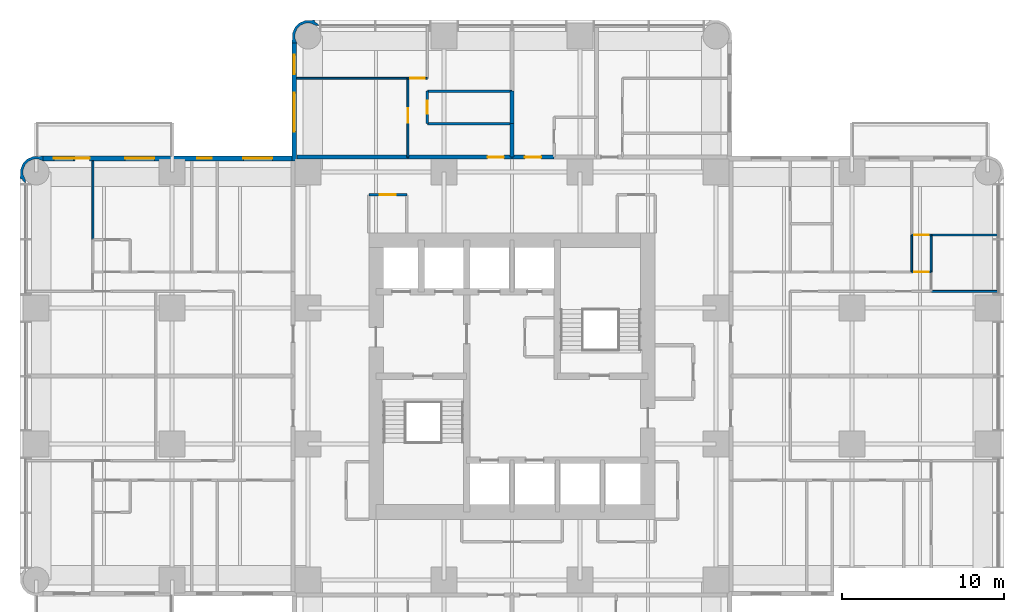
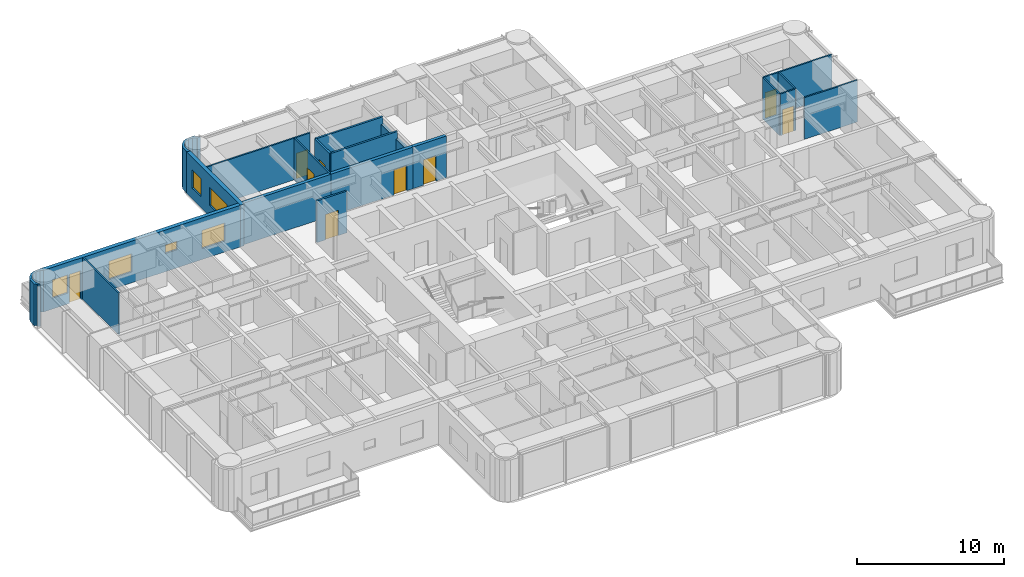
# One storey, part 11 of 15: 23 walls, 9 doors, 6 windows, 15 openings.
"""IFC4 building model written with IfcOpenShell, lengths in metres."""

from ifc_helpers import new_model, si_unit, direction, frame, frame_2d, origin, place, context, subcontext, project, spatial, polyline, rectangle, outline, extrude, material, layer, layer_set, type_object, element, fill, save


model = new_model("IFC4")

# Units and contexts
model_context = context("Model", 3, precision=1e-05, world=origin(), true_north=direction((0.0, 1.0)))
body_context = subcontext(model_context, "Body", "Model", "MODEL_VIEW")
ifc_project = project(units=[si_unit("LENGTHUNIT", "METRE"), si_unit("AREAUNIT", "SQUARE_METRE"), si_unit("VOLUMEUNIT", "CUBIC_METRE"), si_unit("PLANEANGLEUNIT", "RADIAN"), si_unit("MASSUNIT", "GRAM", prefix="KILO")], contexts=[model_context])

# Site, building, storey
site_placement = place(None, origin())
site = spatial("IfcSite", under=ifc_project, at=site_placement, CompositionType="ELEMENT")
building_placement = place(site_placement, origin())
building = spatial("IfcBuilding", under=site, at=building_placement, Name="Torre Alcanfor", CompositionType="ELEMENT")
storey_placement = place(building_placement, frame((0.0, 0.0, 148.5)))
storey = spatial("IfcBuildingStorey", under=building, at=storey_placement, Name="L38", CompositionType="ELEMENT", Elevation=148.5)

# Wall, opening, door
ifc_material_1 = material(Name="Concrete block masonry, hollow blocks NMX-C-404 9 MPa", Category="masonry")
ifc_layer_1 = layer(ifc_material_1, 0.25)
ifc_layer_set_1 = layer_set([ifc_layer_1], Name="Apartment entrance wall 250 EI 60")
wall_type_1 = type_object("IfcWallType", Name="Apartment entrance wall 250 EI 60", PredefinedType="PARTITIONING", material=ifc_layer_set_1)
wall_1_placement = place(storey_placement, frame((22.970947265625, 42.925048828125, 0.0), z_axis=(0.0, 0.0, 1.0), x_axis=(1.0, 0.0, 0.0)))
wall_1 = element("IfcWall", 1, at=wall_1_placement, inside=storey, type_object=wall_type_1, Name="Partition L38-CORR / L38-N1-LIVING", PredefinedType="PARTITIONING", context=body_context, shape_type="SweptSolid", body=[
    extrude(rectangle(XDim=6.428955078125, YDim=0.25, at=frame_2d((3.21435546875, 0.0))), origin(), (0.0, 0.0, 1.0), 3.449951171875),
])
opening_1_placement = place(wall_1_placement, frame((4.928955078125, 0.0, 0.0)))
opening_1 = element("IfcOpeningElement", 2, at=opening_1_placement, cuts=wall_1, Name="Opening D-A1", PredefinedType="OPENING", context=body_context, shape_type="SweptSolid", body=[
    extrude(rectangle(XDim=1.0, YDim=2.10009765625, at=frame_2d((0.5, 1.050048828125))), frame((0.0, 0.135009765625, 0.0), z_axis=(0.0, -1.0, 0.0), x_axis=(1.0, 0.0, 0.0)), (0.0, 0.0, 1.0), 0.27001953125),
])
ifc_material_2 = material(Name="Galvanised steel sheet ASTM A653", Category="steel")
door_type_1 = type_object("IfcDoorType", Name="Apartment entrance door FD60 1000x2100", OperationType="SINGLE_SWING_LEFT", PredefinedType="DOOR", material=ifc_material_2)
door_1_placement = place(opening_1_placement, origin())
door_1 = element("IfcDoor", 3, at=door_1_placement, inside=storey, type_object=door_type_1, Name="Apartment entrance L38-N1", OperationType="SINGLE_SWING_RIGHT", OverallHeight=2.10009765625, OverallWidth=1.0, PredefinedType="DOOR", context=body_context, shape_type="SweptSolid", body=[
    extrude(rectangle(XDim=1.0, YDim=2.10009765625, at=frame_2d((0.5, 1.050048828125))), frame((0.0, 0.02490234375, 0.0), z_axis=(0.0, -1.0, 0.0), x_axis=(1.0, 0.0, 0.0)), (0.0, 0.0, 1.0), 0.050048828125),
])
fill(opening_1, door_1)

# Wall
wall_2_placement = place(storey_placement, frame((16.10009765625, 42.925048828125, 0.0), z_axis=(0.0, 0.0, 1.0), x_axis=(1.0, 0.0, 0.0)))
element("IfcWall", 4, at=wall_2_placement, inside=storey, type_object=wall_type_1, Name="Partition L38-CORR / L38-N1-BED2", PredefinedType="PARTITIONING", context=body_context, shape_type="SweptSolid", body=[
    extrude(rectangle(XDim=6.870849609375, YDim=0.25, at=frame_2d((3.435546875, 0.0))), origin(), (0.0, 0.0, 1.0), 3.449951171875),
])

# Wall, opening, door
wall_3_placement = place(storey_placement, frame((29.39990234375, 42.925048828125, 0.0), z_axis=(0.0, 0.0, 1.0), x_axis=(1.0, 0.0, 0.0)))
wall_3 = element("IfcWall", 5, at=wall_3_placement, inside=storey, type_object=wall_type_1, Name="Partition L38-CORR / L38-N2A-STUDIO", PredefinedType="PARTITIONING", context=body_context, shape_type="SweptSolid", body=[
    extrude(rectangle(XDim=2.60009765625, YDim=0.25, at=frame_2d((1.300048828125, 0.0))), origin(), (0.0, 0.0, 1.0), 3.449951171875),
])
opening_2_placement = place(wall_3_placement, frame((0.800048828125, 0.0, 0.0)))
opening_2 = element("IfcOpeningElement", 6, at=opening_2_placement, cuts=wall_3, Name="Opening D-A1", PredefinedType="OPENING", context=body_context, shape_type="SweptSolid", body=[
    extrude(rectangle(XDim=1.0, YDim=2.10009765625, at=frame_2d((0.5, 1.050048828125))), frame((0.0, 0.135009765625, 0.0), z_axis=(0.0, -1.0, 0.0), x_axis=(1.0, 0.0, 0.0)), (0.0, 0.0, 1.0), 0.27001953125),
])
door_2_placement = place(opening_2_placement, origin())
door_2 = element("IfcDoor", 7, at=door_2_placement, inside=storey, type_object=door_type_1, Name="Apartment entrance L38-N2A", OperationType="SINGLE_SWING_LEFT", OverallHeight=2.10009765625, OverallWidth=1.0, PredefinedType="DOOR", context=body_context, shape_type="SweptSolid", body=[
    extrude(rectangle(XDim=1.0, YDim=2.10009765625, at=frame_2d((0.5, 1.050048828125))), frame((0.0, 0.02490234375, 0.0), z_axis=(0.0, -1.0, 0.0), x_axis=(1.0, 0.0, 0.0)), (0.0, 0.0, 1.0), 0.050048828125),
])
fill(opening_2, door_2)

ifc_material_3 = material(Name="Gypsum board on steel studs", Category="steel")
ifc_layer_2 = layer(ifc_material_3, 0.1201171875)
ifc_layer_set_2 = layer_set([ifc_layer_2], Name="Apartment partition 120")
wall_type_2 = type_object("IfcWallType", Name="Apartment partition 120", PredefinedType="PARTITIONING", material=ifc_layer_set_2)
wall_4_placement = place(storey_placement, frame((22.970947265625, 42.925048828125, 0.0), z_axis=(0.0, 0.0, 1.0), x_axis=(0.0, 1.0, 0.0)))
wall_4 = element("IfcWall", 8, at=wall_4_placement, inside=storey, type_object=wall_type_2, Name="Partition L38-N1-LIVING / L38-N1-BED2", PredefinedType="PARTITIONING", context=body_context, shape_type="SweptSolid", body=[
    extrude(rectangle(XDim=4.875, YDim=0.1201171875, at=frame_2d((2.4375, 0.0))), origin(), (0.0, 0.0, 1.0), 3.449951171875),
])
opening_3_placement = place(wall_4_placement, frame((2.125, 0.0, 0.0)))
opening_3 = element("IfcOpeningElement", 9, at=opening_3_placement, cuts=wall_4, Name="Opening D-R1", PredefinedType="OPENING", context=body_context, shape_type="SweptSolid", body=[
    extrude(rectangle(XDim=0.89990234375, YDim=2.10009765625, at=frame_2d((0.449951171875, 1.050048828125))), frame((0.0, 0.070068359375, 0.0), z_axis=(0.0, -1.0, 0.0), x_axis=(1.0, 0.0, 0.0)), (0.0, 0.0, 1.0), 0.14013671875),
])
ifc_material_4 = material(Name="Timber", Category="wood")
door_type_2 = type_object("IfcDoorType", Name="Internal door 900x2100", OperationType="SINGLE_SWING_LEFT", PredefinedType="DOOR", material=ifc_material_4)
door_3_placement = place(opening_3_placement, origin())
door_3 = element("IfcDoor", 10, at=door_3_placement, inside=storey, type_object=door_type_2, Name="Door L38-N1 bed2", OperationType="SINGLE_SWING_RIGHT", OverallHeight=2.10009765625, OverallWidth=0.89990234375, PredefinedType="DOOR", context=body_context, shape_type="SweptSolid", body=[
    extrude(rectangle(XDim=0.89990234375, YDim=2.10009765625, at=frame_2d((0.449951171875, 1.050048828125))), frame((0.0, 0.02490234375, 0.0), z_axis=(0.0, -1.0, 0.0), x_axis=(1.0, 0.0, 0.0)), (0.0, 0.0, 1.0), 0.050048828125),
])
fill(opening_3, door_3)

wall_5_placement = place(storey_placement, frame((22.970947265625, 47.800048828125, 0.0), z_axis=(0.0, 0.0, 1.0), x_axis=(1.0, 0.0, 0.0)))
wall_5 = element("IfcWall", 11, at=wall_5_placement, inside=storey, type_object=wall_type_2, Name="Partition L38-N1-LIVING / L38-N1-MASTER", PredefinedType="PARTITIONING", context=body_context, shape_type="SweptSolid", body=[
    extrude(rectangle(XDim=1.199951171875, YDim=0.1201171875, at=frame_2d((0.60009765625, 0.0))), origin(), (0.0, 0.0, 1.0), 3.449951171875),
])
opening_4_placement = place(wall_5_placement, frame((0.14892578125, 0.0, 0.0)))
opening_4 = element("IfcOpeningElement", 12, at=opening_4_placement, cuts=wall_5, Name="Opening D-R1", PredefinedType="OPENING", context=body_context, shape_type="SweptSolid", body=[
    extrude(rectangle(XDim=0.89990234375, YDim=2.10009765625, at=frame_2d((0.449951171875, 1.050048828125))), frame((0.0, 0.070068359375, 0.0), z_axis=(0.0, -1.0, 0.0), x_axis=(1.0, 0.0, 0.0)), (0.0, 0.0, 1.0), 0.14013671875),
])
door_4_placement = place(opening_4_placement, origin())
door_4 = element("IfcDoor", 13, at=door_4_placement, inside=storey, type_object=door_type_2, Name="Door L38-N1 master", OperationType="SINGLE_SWING_RIGHT", OverallHeight=2.10009765625, OverallWidth=0.89990234375, PredefinedType="DOOR", context=body_context, shape_type="SweptSolid", body=[
    extrude(rectangle(XDim=0.89990234375, YDim=2.10009765625, at=frame_2d((0.449951171875, 1.050048828125))), frame((0.0, 0.02490234375, 0.0), z_axis=(0.0, -1.0, 0.0), x_axis=(1.0, 0.0, 0.0)), (0.0, 0.0, 1.0), 0.050048828125),
])
fill(opening_4, door_4)

# Walls
wall_6_placement = place(storey_placement, frame((22.970947265625, 47.800048828125, 0.0), z_axis=(0.0, 0.0, 1.0), x_axis=(-1.0, 0.0, 0.0)))
element("IfcWall", 14, at=wall_6_placement, inside=storey, type_object=wall_type_2, Name="Partition L38-N1-BED2 / L38-N1-MASTER", PredefinedType="PARTITIONING", context=body_context, shape_type="SweptSolid", body=[
    extrude(rectangle(XDim=6.870849609375, YDim=0.1201171875, at=frame_2d((3.435546875, 0.0))), origin(), (0.0, 0.0, 1.0), 3.449951171875),
])
wall_7_placement = place(storey_placement, frame((59.449951171875, 34.62890625, 0.0), z_axis=(0.0, 0.0, 1.0), x_axis=(-1.0, 0.0, 0.0)))
element("IfcWall", 15, at=wall_7_placement, inside=storey, type_object=wall_type_2, Name="Partition L38-E1-LIVING / L38-E1-BED2", PredefinedType="PARTITIONING", context=body_context, shape_type="SweptSolid", body=[
    extrude(rectangle(XDim=4.14990234375, YDim=0.1201171875, at=frame_2d((2.074951171875, 0.0))), origin(), (0.0, 0.0, 1.0), 3.449951171875),
])

# Wall, opening, door
wall_8_placement = place(storey_placement, frame((55.300048828125, 35.8291015625, 0.0), z_axis=(0.0, 0.0, 1.0), x_axis=(-1.0, 0.0, 0.0)))
wall_8 = element("IfcWall", 16, at=wall_8_placement, inside=storey, type_object=wall_type_2, Name="Partition L38-E1-HALL / L38-E1-VEST", PredefinedType="PARTITIONING", context=body_context, shape_type="SweptSolid", body=[
    extrude(rectangle(XDim=1.199951171875, YDim=0.1201171875, at=frame_2d((0.60009765625, 0.0))), origin(), (0.0, 0.0, 1.0), 3.449951171875),
])
opening_5_placement = place(wall_8_placement, frame((0.14990234375, 0.0, 0.0)))
opening_5 = element("IfcOpeningElement", 17, at=opening_5_placement, cuts=wall_8, Name="Opening D-R1", PredefinedType="OPENING", context=body_context, shape_type="SweptSolid", body=[
    extrude(rectangle(XDim=0.89990234375, YDim=2.10009765625, at=frame_2d((0.449951171875, 1.050048828125))), frame((0.0, 0.070068359375, 0.0), z_axis=(0.0, -1.0, 0.0), x_axis=(1.0, 0.0, 0.0)), (0.0, 0.0, 1.0), 0.14013671875),
])
door_5_placement = place(opening_5_placement, frame((0.89990234375, 0.0, 0.0), z_axis=(0.0, 0.0, 1.0), x_axis=(-1.0, 0.0, 0.0)))
door_5 = element("IfcDoor", 18, at=door_5_placement, inside=storey, type_object=door_type_2, Name="Door L38-E1 vest", OperationType="SINGLE_SWING_RIGHT", OverallHeight=2.10009765625, OverallWidth=0.89990234375, PredefinedType="DOOR", context=body_context, shape_type="SweptSolid", body=[
    extrude(rectangle(XDim=0.89990234375, YDim=2.10009765625, at=frame_2d((0.449951171875, 1.050048828125))), frame((0.0, 0.025146484375, 0.0), z_axis=(0.0, -1.0, 0.0), x_axis=(1.0, 0.0, 0.0)), (0.0, 0.0, 1.0), 0.050048828125),
])
fill(opening_5, door_5)

# Walls
for number, where, z_axis, x_axis, name in (
    (19, (54.10009765625, 35.8291015625, 0.0), (0.0, 0.0, 1.0), (0.0, 1.0, 0.0), "Partition L38-E1-BED3 / L38-E1-VEST"),
    (20, (55.300048828125, 35.8291015625, 0.0), (0.0, 0.0, 1.0), (0.0, 1.0, 0.0), "Partition L38-E1-VEST / L38-E1-BED2"),
):
    element("IfcWall", number, at=place(storey_placement, frame(where, z_axis=z_axis, x_axis=x_axis)), inside=storey, type_object=wall_type_2, Name=name, PredefinedType="PARTITIONING", context=body_context, shape_type="SweptSolid", body=[
        extrude(rectangle(XDim=2.284912109375, YDim=0.1201171875, at=frame_2d((1.142578125, 0.0))), origin(), (0.0, 0.0, 1.0), 3.449951171875),
    ])

# Wall, opening, door
wall_9_placement = place(storey_placement, frame((55.300048828125, 38.114013671875, 0.0), z_axis=(0.0, 0.0, 1.0), x_axis=(-1.0, 0.0, 0.0)))
wall_9 = element("IfcWall", 21, at=wall_9_placement, inside=storey, type_object=wall_type_2, Name="Partition L38-E1-VEST / L38-E1-MASTER", PredefinedType="PARTITIONING", context=body_context, shape_type="SweptSolid", body=[
    extrude(rectangle(XDim=1.199951171875, YDim=0.1201171875, at=frame_2d((0.60009765625, 0.0))), origin(), (0.0, 0.0, 1.0), 3.449951171875),
])
opening_6_placement = place(wall_9_placement, frame((0.14990234375, 0.0, 0.0)))
opening_6 = element("IfcOpeningElement", 22, at=opening_6_placement, cuts=wall_9, Name="Opening D-R1", PredefinedType="OPENING", context=body_context, shape_type="SweptSolid", body=[
    extrude(rectangle(XDim=0.89990234375, YDim=2.10009765625, at=frame_2d((0.449951171875, 1.050048828125))), frame((0.0, 0.070068359375, 0.0), z_axis=(0.0, -1.0, 0.0), x_axis=(1.0, 0.0, 0.0)), (0.0, 0.0, 1.0), 0.14013671875),
])
door_6_placement = place(opening_6_placement, origin())
door_6 = element("IfcDoor", 23, at=door_6_placement, inside=storey, type_object=door_type_2, Name="Door L38-E1 master", OperationType="SINGLE_SWING_LEFT", OverallHeight=2.10009765625, OverallWidth=0.89990234375, PredefinedType="DOOR", context=body_context, shape_type="SweptSolid", body=[
    extrude(rectangle(XDim=0.89990234375, YDim=2.10009765625, at=frame_2d((0.449951171875, 1.050048828125))), frame((0.0, 0.02490234375, 0.0), z_axis=(0.0, -1.0, 0.0), x_axis=(1.0, 0.0, 0.0)), (0.0, 0.0, 1.0), 0.050048828125),
])
fill(opening_6, door_6)

# Walls
wall_10_placement = place(storey_placement, frame((59.449951171875, 38.114013671875, 0.0), z_axis=(0.0, 0.0, 1.0), x_axis=(-1.0, 0.0, 0.0)))
element("IfcWall", 24, at=wall_10_placement, inside=storey, type_object=wall_type_2, Name="Partition L38-E1-BED2 / L38-E1-MASTER", PredefinedType="PARTITIONING", context=body_context, shape_type="SweptSolid", body=[
    extrude(rectangle(XDim=4.14990234375, YDim=0.1201171875, at=frame_2d((2.074951171875, 0.0))), origin(), (0.0, 0.0, 1.0), 3.449951171875),
])
wall_11_placement = place(storey_placement, frame((3.5, 37.8291015625, 0.0), z_axis=(0.0, 0.0, 1.0), x_axis=(0.0, 1.0, 0.0)))
element("IfcWall", 25, at=wall_11_placement, inside=storey, type_object=wall_type_2, Name="Partition L38-W2-MASTER / L38-W2-WGARD", PredefinedType="PARTITIONING", context=body_context, shape_type="SweptSolid", body=[
    extrude(rectangle(XDim=4.870849609375, YDim=0.1201171875, at=frame_2d((2.435546875, 0.0))), origin(), (0.0, 0.0, 1.0), 3.449951171875),
])

# Wall, openings, door, windows
ifc_material_5 = material(Name="Limestone cladding", Category="masonry")
ifc_layer_3 = layer(ifc_material_5, 0.0400390625, Name="Facing")
ifc_material_6 = material(Name="Ventilated air cavity")
ifc_layer_4 = layer(ifc_material_6, 0.02001953125, ventilated=True, Name="Ventilated joint")
ifc_material_7 = material(Name="Mineral wool insulation", Category="insulation")
ifc_layer_5 = layer(ifc_material_7, 0.10009765625, Name="Insulation")
ifc_material_8 = material(Name="Concrete f'c 35 MPa", Category="concrete")
ifc_layer_6 = layer(ifc_material_8, 0.139892578125, Name="Backing")
ifc_layer_set_3 = layer_set([ifc_layer_3, ifc_layer_4, ifc_layer_5, ifc_layer_6], Name="External wall stone-clad 300")
wall_type_3 = type_object("IfcWallType", Name="External wall stone-clad 300", PredefinedType="SOLIDWALL", material=ifc_layer_set_3)
wall_12_placement = place(storey_placement, frame((15.800048828125, 42.85009765625, 0.0), z_axis=(0.0, 0.0, 1.0), x_axis=(-1.0, 0.0, 0.0)))
wall_12 = element("IfcWall", 26, at=wall_12_placement, inside=storey, type_object=wall_type_3, Name="External wall L38 1", PredefinedType="SOLIDWALL", context=body_context, shape_type="SweptSolid", body=[
    extrude(rectangle(XDim=15.400146484375, YDim=0.300048828125, at=frame_2d((7.7001953125, 0.0))), origin(), (0.0, 0.0, 1.0), 3.449951171875),
])
opening_7_placement = place(wall_12_placement, frame((1.199951171875, 0.0, 0.89990234375)))
opening_7 = element("IfcOpeningElement", 27, at=opening_7_placement, cuts=wall_12, Name="Opening W2", PredefinedType="OPENING", context=body_context, shape_type="SweptSolid", body=[
    extrude(rectangle(XDim=1.800048828125, YDim=1.5, at=frame_2d((0.89990234375, 0.75))), frame((0.0, 0.159912109375, 0.0), z_axis=(0.0, -1.0, 0.0), x_axis=(1.0, 0.0, 0.0)), (0.0, 0.0, 1.0), 0.320068359375),
])
opening_8_placement = place(wall_12_placement, frame((4.949951171875, 0.0, 1.5)))
opening_8 = element("IfcOpeningElement", 28, at=opening_8_placement, cuts=wall_12, Name="Opening W3", PredefinedType="OPENING", context=body_context, shape_type="SweptSolid", body=[
    extrude(rectangle(XDim=0.89990234375, YDim=0.699951171875, at=frame_2d((0.449951171875, 0.35009765625))), frame((0.0, 0.159912109375, 0.0), z_axis=(0.0, -1.0, 0.0), x_axis=(1.0, 0.0, 0.0)), (0.0, 0.0, 1.0), 0.320068359375),
])
opening_9_placement = place(wall_12_placement, frame((8.5, 0.0, 0.89990234375)))
opening_9 = element("IfcOpeningElement", 29, at=opening_9_placement, cuts=wall_12, Name="Opening W2", PredefinedType="OPENING", context=body_context, shape_type="SweptSolid", body=[
    extrude(rectangle(XDim=1.800048828125, YDim=1.5, at=frame_2d((0.89990234375, 0.75))), frame((0.0, 0.159912109375, 0.0), z_axis=(0.0, -1.0, 0.0), x_axis=(1.0, 0.0, 0.0)), (0.0, 0.0, 1.0), 0.320068359375),
])
opening_10_placement = place(wall_12_placement, frame((12.5, 0.0, 0.0)))
opening_10 = element("IfcOpeningElement", 30, at=opening_10_placement, cuts=wall_12, Name="Opening D-B1", PredefinedType="OPENING", context=body_context, shape_type="SweptSolid", body=[
    extrude(rectangle(XDim=0.89990234375, YDim=2.39990234375, at=frame_2d((0.449951171875, 1.199951171875))), frame((0.0, 0.159912109375, 0.0), z_axis=(0.0, -1.0, 0.0), x_axis=(1.0, 0.0, 0.0)), (0.0, 0.0, 1.0), 0.320068359375),
])
opening_11_placement = place(wall_12_placement, frame((13.5, 0.0, 0.89990234375)))
opening_11 = element("IfcOpeningElement", 31, at=opening_11_placement, cuts=wall_12, Name="Opening W4", PredefinedType="OPENING", context=body_context, shape_type="SweptSolid", body=[
    extrude(rectangle(XDim=1.199951171875, YDim=1.5, at=frame_2d((0.60009765625, 0.75))), frame((0.0, 0.159912109375, 0.0), z_axis=(0.0, -1.0, 0.0), x_axis=(1.0, 0.0, 0.0)), (0.0, 0.0, 1.0), 0.320068359375),
])
ifc_material_9 = material(Name="Aluminium and glass", Category="aluminium")
door_type_3 = type_object("IfcDoorType", Name="Balcony door glazed 900x2400", OperationType="SINGLE_SWING_LEFT", PredefinedType="DOOR", material=ifc_material_9)
door_7_placement = place(opening_10_placement, origin())
door_7 = element("IfcDoor", 32, at=door_7_placement, inside=storey, type_object=door_type_3, Name="Balcony door L38-W2", OperationType="SINGLE_SWING_LEFT", OverallHeight=2.39990234375, OverallWidth=0.89990234375, PredefinedType="DOOR", context=body_context, shape_type="SweptSolid", body=[
    extrude(rectangle(XDim=0.89990234375, YDim=2.39990234375, at=frame_2d((0.449951171875, 1.199951171875))), frame((0.0, 0.02490234375, 0.0), z_axis=(0.0, -1.0, 0.0), x_axis=(1.0, 0.0, 0.0)), (0.0, 0.0, 1.0), 0.050048828125),
])
fill(opening_10, door_7)
ifc_material_10 = material(Name="Aluminium frame with clear double glazing", Category="aluminium")
window_type_1 = type_object("IfcWindowType", Name="Window bathroom 900x700", PartitioningType="SINGLE_PANEL", PredefinedType="WINDOW", material=ifc_material_10)
window_1_placement = place(opening_8_placement, origin())
window_1 = element("IfcWindow", 33, at=window_1_placement, inside=storey, type_object=window_type_1, Name="Window W3 L38-W2", OverallHeight=0.699951171875, OverallWidth=0.89990234375, PartitioningType="SINGLE_PANEL", PredefinedType="WINDOW", context=body_context, shape_type="SweptSolid", body=[
    extrude(rectangle(XDim=0.89990234375, YDim=0.699951171875, at=frame_2d((0.449951171875, 0.35009765625))), frame((0.0, 0.030029296875, 0.0), z_axis=(0.0, -1.0, 0.0), x_axis=(1.0, 0.0, 0.0)), (0.0, 0.0, 1.0), 0.06005859375),
])
fill(opening_8, window_1)
ifc_material_11 = material(Name="Aluminium frame with clear double glazing", Category="aluminium")
window_type_2 = type_object("IfcWindowType", Name="Window bedroom 1200x1500", PartitioningType="SINGLE_PANEL", PredefinedType="WINDOW", material=ifc_material_11)
window_2_placement = place(opening_11_placement, origin())
window_2 = element("IfcWindow", 34, at=window_2_placement, inside=storey, type_object=window_type_2, Name="Window W4 L38-W2", OverallHeight=1.5, OverallWidth=1.199951171875, PartitioningType="SINGLE_PANEL", PredefinedType="WINDOW", context=body_context, shape_type="SweptSolid", body=[
    extrude(rectangle(XDim=1.199951171875, YDim=1.5, at=frame_2d((0.60009765625, 0.75))), frame((0.0, 0.030029296875, 0.0), z_axis=(0.0, -1.0, 0.0), x_axis=(1.0, 0.0, 0.0)), (0.0, 0.0, 1.0), 0.06005859375),
])
fill(opening_11, window_2)
ifc_material_12 = material(Name="Aluminium frame with clear double glazing", Category="aluminium")
window_type_3 = type_object("IfcWindowType", Name="Window bedroom 1800x1500", PartitioningType="SINGLE_PANEL", PredefinedType="WINDOW", material=ifc_material_12)
window_3_placement = place(opening_7_placement, origin())
window_3 = element("IfcWindow", 35, at=window_3_placement, inside=storey, type_object=window_type_3, Name="Window W2 L38-W2", OverallHeight=1.5, OverallWidth=1.800048828125, PartitioningType="SINGLE_PANEL", PredefinedType="WINDOW", context=body_context, shape_type="SweptSolid", body=[
    extrude(rectangle(XDim=1.800048828125, YDim=1.5, at=frame_2d((0.89990234375, 0.75))), frame((0.0, 0.030029296875, 0.0), z_axis=(0.0, -1.0, 0.0), x_axis=(1.0, 0.0, 0.0)), (0.0, 0.0, 1.0), 0.06005859375),
])
fill(opening_7, window_3)
window_4_placement = place(opening_9_placement, origin())
window_4 = element("IfcWindow", 36, at=window_4_placement, inside=storey, type_object=window_type_3, Name="Window W2 L38-W2", OverallHeight=1.5, OverallWidth=1.800048828125, PartitioningType="SINGLE_PANEL", PredefinedType="WINDOW", context=body_context, shape_type="SweptSolid", body=[
    extrude(rectangle(XDim=1.800048828125, YDim=1.5, at=frame_2d((0.89990234375, 0.75))), frame((0.0, 0.030029296875, 0.0), z_axis=(0.0, -1.0, 0.0), x_axis=(1.0, 0.0, 0.0)), (0.0, 0.0, 1.0), 0.06005859375),
])
fill(opening_9, window_4)

# Wall, openings, windows
wall_13_placement = place(storey_placement, frame((15.949951171875, 50.0, 0.0), z_axis=(0.0, 0.0, 1.0), x_axis=(0.0, -1.0, 0.0)))
wall_13 = element("IfcWall", 37, at=wall_13_placement, inside=storey, type_object=wall_type_3, Name="External wall L38 12", PredefinedType="SOLIDWALL", context=body_context, shape_type="SweptSolid", body=[
    extrude(rectangle(XDim=7.300048828125, YDim=0.300048828125, at=frame_2d((3.64990234375, 0.0))), origin(), (0.0, 0.0, 1.0), 3.449951171875),
])
opening_12_placement = place(wall_13_placement, frame((3.10009765625, 0.0, 0.89990234375)))
opening_12 = element("IfcOpeningElement", 38, at=opening_12_placement, cuts=wall_13, Name="Opening W1", PredefinedType="OPENING", context=body_context, shape_type="SweptSolid", body=[
    extrude(rectangle(XDim=2.39990234375, YDim=1.5, at=frame_2d((1.199951171875, 0.75))), frame((0.0, 0.159912109375, 0.0), z_axis=(0.0, -1.0, 0.0), x_axis=(1.0, 0.0, 0.0)), (0.0, 0.0, 1.0), 0.320068359375),
])
opening_13_placement = place(wall_13_placement, frame((0.75, 0.0, 0.89990234375)))
opening_13 = element("IfcOpeningElement", 39, at=opening_13_placement, cuts=wall_13, Name="Opening W4", PredefinedType="OPENING", context=body_context, shape_type="SweptSolid", body=[
    extrude(rectangle(XDim=1.199951171875, YDim=1.5, at=frame_2d((0.60009765625, 0.75))), frame((0.0, 0.159912109375, 0.0), z_axis=(0.0, -1.0, 0.0), x_axis=(1.0, 0.0, 0.0)), (0.0, 0.0, 1.0), 0.320068359375),
])
window_5_placement = place(opening_13_placement, origin())
window_5 = element("IfcWindow", 40, at=window_5_placement, inside=storey, type_object=window_type_2, Name="Window W4 L38-N1", OverallHeight=1.5, OverallWidth=1.199951171875, PartitioningType="SINGLE_PANEL", PredefinedType="WINDOW", context=body_context, shape_type="SweptSolid", body=[
    extrude(rectangle(XDim=1.199951171875, YDim=1.5, at=frame_2d((0.60009765625, 0.75))), frame((0.0, 0.030029296875, 0.0), z_axis=(0.0, -1.0, 0.0), x_axis=(1.0, 0.0, 0.0)), (0.0, 0.0, 1.0), 0.06005859375),
])
fill(opening_13, window_5)
ifc_material_13 = material(Name="Aluminium frame with clear double glazing", Category="aluminium")
window_type_4 = type_object("IfcWindowType", Name="Window bedroom 2400x1500", PartitioningType="SINGLE_PANEL", PredefinedType="WINDOW", material=ifc_material_13)
window_6_placement = place(opening_12_placement, origin())
window_6 = element("IfcWindow", 41, at=window_6_placement, inside=storey, type_object=window_type_4, Name="Window W1 L38-N1", OverallHeight=1.5, OverallWidth=2.39990234375, PartitioningType="SINGLE_PANEL", PredefinedType="WINDOW", context=body_context, shape_type="SweptSolid", body=[
    extrude(rectangle(XDim=2.39990234375, YDim=1.5, at=frame_2d((1.199951171875, 0.75))), frame((0.0, 0.030029296875, 0.0), z_axis=(0.0, -1.0, 0.0), x_axis=(1.0, 0.0, 0.0)), (0.0, 0.0, 1.0), 0.06005859375),
])
fill(opening_12, window_6)

# Walls
ifc_material_14 = material(Name="Concrete block masonry, hollow blocks NMX-C-404 9 MPa", Category="masonry")
ifc_layer_7 = layer(ifc_material_14, 0.25)
ifc_layer_set_4 = layer_set([ifc_layer_7], Name="Party wall 250 EI 60")
wall_type_4 = type_object("IfcWallType", Name="Party wall 250 EI 60", PredefinedType="PARTITIONING", material=ifc_layer_set_4)
wall_14_placement = place(storey_placement, frame((29.39990234375, 45.0, 0.0), z_axis=(0.0, 0.0, 1.0), x_axis=(0.0, 1.0, 0.0)))
element("IfcWall", 42, at=wall_14_placement, inside=storey, type_object=wall_type_4, Name="Partition L38-N1-BATH / L38-N2A-STUDIO", PredefinedType="PARTITIONING", context=body_context, shape_type="SweptSolid", body=[
    extrude(rectangle(XDim=2.0, YDim=0.25, at=frame_2d((1.0, 0.0))), origin(), (0.0, 0.0, 1.0), 2.847900390625),
])
wall_15_placement = place(storey_placement, frame((29.39990234375, 45.0, 0.0), z_axis=(0.0, 0.0, 1.0), x_axis=(0.0, -1.0, 0.0)))
element("IfcWall", 43, at=wall_15_placement, inside=storey, type_object=wall_type_4, Name="Partition L38-N1-LIVING / L38-N2A-STUDIO", PredefinedType="PARTITIONING", context=body_context, shape_type="SweptSolid", body=[
    extrude(rectangle(XDim=2.074951171875, YDim=0.25, at=frame_2d((1.03759765625, 0.0))), origin(), (0.0, 0.0, 1.0), 2.847900390625),
])

# Wall, opening, door
ifc_material_15 = material(Name="Concrete block masonry, hollow blocks NMX-C-404 9 MPa", Category="masonry")
ifc_layer_8 = layer(ifc_material_15, 0.14990234375)
ifc_layer_set_5 = layer_set([ifc_layer_8], Name="Residents' room partition 150")
wall_type_5 = type_object("IfcWallType", Name="Residents' room partition 150", PredefinedType="PARTITIONING", material=ifc_layer_set_5)
wall_16_placement = place(storey_placement, frame((22.89990234375, 40.60009765625, 0.0), z_axis=(0.0, 0.0, 1.0), x_axis=(-1.0, 0.0, 0.0)))
wall_16 = element("IfcWall", 44, at=wall_16_placement, inside=storey, type_object=wall_type_5, Name="Partition L38-CORR / L38-G01", PredefinedType="PARTITIONING", context=body_context, shape_type="SweptSolid", body=[
    extrude(rectangle(XDim=2.349853515625, YDim=0.14990234375, at=frame_2d((1.1748046875, 0.0))), origin(), (0.0, 0.0, 1.0), 3.449951171875),
])
opening_14_placement = place(wall_16_placement, frame((0.675048828125, 0.0, 0.0)))
opening_14 = element("IfcOpeningElement", 45, at=opening_14_placement, cuts=wall_16, Name="Opening D-M1", PredefinedType="OPENING", context=body_context, shape_type="SweptSolid", body=[
    extrude(rectangle(XDim=1.0, YDim=2.10009765625, at=frame_2d((0.5, 1.050048828125))), frame((0.0, 0.0849609375, 0.0), z_axis=(0.0, -1.0, 0.0), x_axis=(1.0, 0.0, 0.0)), (0.0, 0.0, 1.0), 0.169921875),
])
ifc_material_16 = material(Name="Timber", Category="wood")
door_type_4 = type_object("IfcDoorType", Name="Residents' room door 1000x2100", OperationType="SINGLE_SWING_LEFT", PredefinedType="DOOR", material=ifc_material_16)
door_8_placement = place(opening_14_placement, origin())
door_8 = element("IfcDoor", 46, at=door_8_placement, inside=storey, type_object=door_type_4, Name="Door L38-G01 bicycle store", OperationType="SINGLE_SWING_LEFT", OverallHeight=2.10009765625, OverallWidth=1.0, PredefinedType="DOOR", context=body_context, shape_type="SweptSolid", body=[
    extrude(rectangle(XDim=1.0, YDim=2.10009765625, at=frame_2d((0.5, 1.050048828125))), frame((0.0, 0.02490234375, 0.0), z_axis=(0.0, -1.0, 0.0), x_axis=(1.0, 0.0, 0.0)), (0.0, 0.0, 1.0), 0.050048828125),
])
fill(opening_14, door_8)

# Walls
ifc_layer_9 = layer(ifc_material_5, 0.0400390625, Name="Facing")
ifc_layer_10 = layer(ifc_material_6, 0.02001953125, ventilated=True, Name="Ventilated joint")
ifc_layer_11 = layer(ifc_material_7, 0.10009765625, Name="Insulation")
ifc_layer_12 = layer(ifc_material_8, 0.139892578125, Name="Backing")
ifc_layer_set_6 = layer_set([ifc_layer_9, ifc_layer_10, ifc_layer_11, ifc_layer_12], Name="Rounded corner pier stone-clad 300")
wall_type_6 = type_object("IfcWallType", Name="Rounded corner pier stone-clad 300", PredefinedType="SOLIDWALL", material=ifc_layer_set_6)
wall_17_placement = place(storey_placement, frame((0.326823795, 42.817059488, 0.0), z_axis=(0.0, 0.0, 1.0), x_axis=(-0.93923434088, 0.343276641956, 0.0)))
element("IfcWall", 47, at=wall_17_placement, inside=storey, type_object=wall_type_6, Name="Corner pier L38 13", PredefinedType="SOLIDWALL", context=body_context, shape_type="SweptSolid", body=[
    extrude(outline(polyline([(-0.005838677930572508, -0.19691017002240385), (0.2656725893480827, -0.05504723679548061), (0.5353355739365452, 0.04351070532859805), (0.8164808166219237, 0.3019667887790936), (0.9774010351300944, 0.6482698031873169), (0.9936526519661447, 1.0298167590229048), (0.8950947098420661, 1.2994797436113674), (0.8284439015683875, 1.5984799607341533), (0.6967504599124257, 1.5690632792769885), (0.6041212101125378, 1.6695954267902182), (0.39402236502400456, 1.7672242392847775), (0.4711255170258348, 1.5562634010012864), (0.5086990809760941, 1.538803702790635), (0.7241945805605172, 1.30408163961566), (0.8334799177457201, 1.0050675818747117), (0.8201287688443563, 0.6867053603325339), (0.6856890926223405, 0.3973889179155373), (0.4509670294473655, 0.1818934183311141), (0.15195297170641725, 0.07260808114591123), (-0.11630424425966698, 0.08399689688883538), (-0.12741215805145528, 0.07811756360614214), (-0.14598588403076265, 0.07132913391902448), (-0.005838677930572508, -0.19691017002240385)])), origin(), (0.0, 0.0, 1.0), 3.449951171875),
])
wall_18_placement = place(storey_placement, frame((17.448071802, 50.995317512, 0.0), z_axis=(0.0, 0.0, 1.0), x_axis=(-0.343276641956, 0.93923434088, 0.0)))
element("IfcWall", 48, at=wall_18_placement, inside=storey, type_object=wall_type_6, Name="Corner pier L38 20", PredefinedType="SOLIDWALL", context=body_context, shape_type="SweptSolid", body=[
    extrude(outline(polyline([(0.24108059829103723, 0.022959620234629247), (0.3334805428319213, 0.12357557552177408), (0.4651739844878831, 0.09415889406460926), (0.5320540980205655, 0.3930753034134802), (0.6306958479185591, 0.6629675932609465), (0.6144442310825087, 1.0445145490965344), (0.4535240125743382, 1.3908175635047577), (0.17229496211504458, 1.6490443416962495), (-0.0975973277324218, 1.7476860915942432), (-0.36910859501107685, 1.8895490248211664), (-0.5092558011112671, 1.6213097208797382), (-0.4906820751319597, 1.6145212911926206), (-0.47934485608116756, 1.6085581501360122), (-0.21131694537408713, 1.6200307736528514), (0.0879264176258649, 1.5106616286937335), (0.32264848080083985, 1.2951661291093102), (0.4569426595377669, 1.0061627997252323), (0.4702938084391308, 0.6878005781830546), (0.3609246634800129, 0.3885572151831026), (0.1454291638955897, 0.15383515200812764), (0.10816871297824923, 0.136520951282565), (0.030981753202503952, -0.0746691922599299), (0.24108059829103723, 0.022959620234629247)])), origin(), (0.0, 0.0, 1.0), 3.449951171875),
])
ifc_material_17 = material(Name="Cement board on steel studs", Category="steel")
ifc_layer_13 = layer(ifc_material_17, 0.14990234375)
ifc_layer_set_7 = layer_set([ifc_layer_13], Name="Wet area partition 150")
wall_type_7 = type_object("IfcWallType", Name="Wet area partition 150", PredefinedType="PARTITIONING", material=ifc_layer_set_7)
wall_19_placement = place(storey_placement, frame((29.39990234375, 47.0, 0.0), z_axis=(0.0, 0.0, 1.0), x_axis=(-1.0, 0.0, 0.0)))
element("IfcWall", 49, at=wall_19_placement, inside=storey, type_object=wall_type_7, Name="Partition L38-N1-BATH / L38-N1-LIVING", PredefinedType="PARTITIONING", context=body_context, shape_type="SweptSolid", body=[
    extrude(rectangle(XDim=5.22900390625, YDim=0.14990234375, at=frame_2d((2.614501953125, 0.0))), origin(), (0.0, 0.0, 1.0), 3.449951171875),
])

# Wall, opening, door
wall_20_placement = place(storey_placement, frame((24.1708984375, 47.0, 0.0), z_axis=(0.0, 0.0, 1.0), x_axis=(0.0, -1.0, 0.0)))
wall_20 = element("IfcWall", 50, at=wall_20_placement, inside=storey, type_object=wall_type_7, Name="Partition L38-N1-BATH / L38-N1-LIVING", PredefinedType="PARTITIONING", context=body_context, shape_type="SweptSolid", body=[
    extrude(rectangle(XDim=2.0, YDim=0.14990234375, at=frame_2d((1.0, 0.0))), origin(), (0.0, 0.0, 1.0), 3.449951171875),
])
opening_15_placement = place(wall_20_placement, frame((0.60009765625, 0.0, 0.0)))
opening_15 = element("IfcOpeningElement", 51, at=opening_15_placement, cuts=wall_20, Name="Opening D-R2", PredefinedType="OPENING", context=body_context, shape_type="SweptSolid", body=[
    extrude(rectangle(XDim=0.800048828125, YDim=2.10009765625, at=frame_2d((0.39990234375, 1.050048828125))), frame((0.0, 0.0849609375, 0.0), z_axis=(0.0, -1.0, 0.0), x_axis=(1.0, 0.0, 0.0)), (0.0, 0.0, 1.0), 0.169921875),
])
ifc_material_18 = material(Name="Timber", Category="wood")
door_type_5 = type_object("IfcDoorType", Name="Bathroom door 800x2100", OperationType="SINGLE_SWING_LEFT", PredefinedType="DOOR", material=ifc_material_18)
door_9_placement = place(opening_15_placement, origin())
door_9 = element("IfcDoor", 52, at=door_9_placement, inside=storey, type_object=door_type_5, Name="Door L38-N1 bath", OperationType="SINGLE_SWING_LEFT", OverallHeight=2.10009765625, OverallWidth=0.800048828125, PredefinedType="DOOR", context=body_context, shape_type="SweptSolid", body=[
    extrude(rectangle(XDim=0.800048828125, YDim=2.10009765625, at=frame_2d((0.39990234375, 1.050048828125))), frame((0.0, 0.02490234375, 0.0), z_axis=(0.0, -1.0, 0.0), x_axis=(1.0, 0.0, 0.0)), (0.0, 0.0, 1.0), 0.050048828125),
])
fill(opening_15, door_9)

# Wall
wall_21_placement = place(storey_placement, frame((24.1708984375, 45.0, 0.0), z_axis=(0.0, 0.0, 1.0), x_axis=(1.0, 0.0, 0.0)))
element("IfcWall", 53, at=wall_21_placement, inside=storey, type_object=wall_type_7, Name="Partition L38-N1-BATH / L38-N1-LIVING", PredefinedType="PARTITIONING", context=body_context, shape_type="SweptSolid", body=[
    extrude(rectangle(XDim=5.22900390625, YDim=0.14990234375, at=frame_2d((2.614501953125, 0.0))), origin(), (0.0, 0.0, 1.0), 3.449951171875),
])

save(model, "model.ifc")
